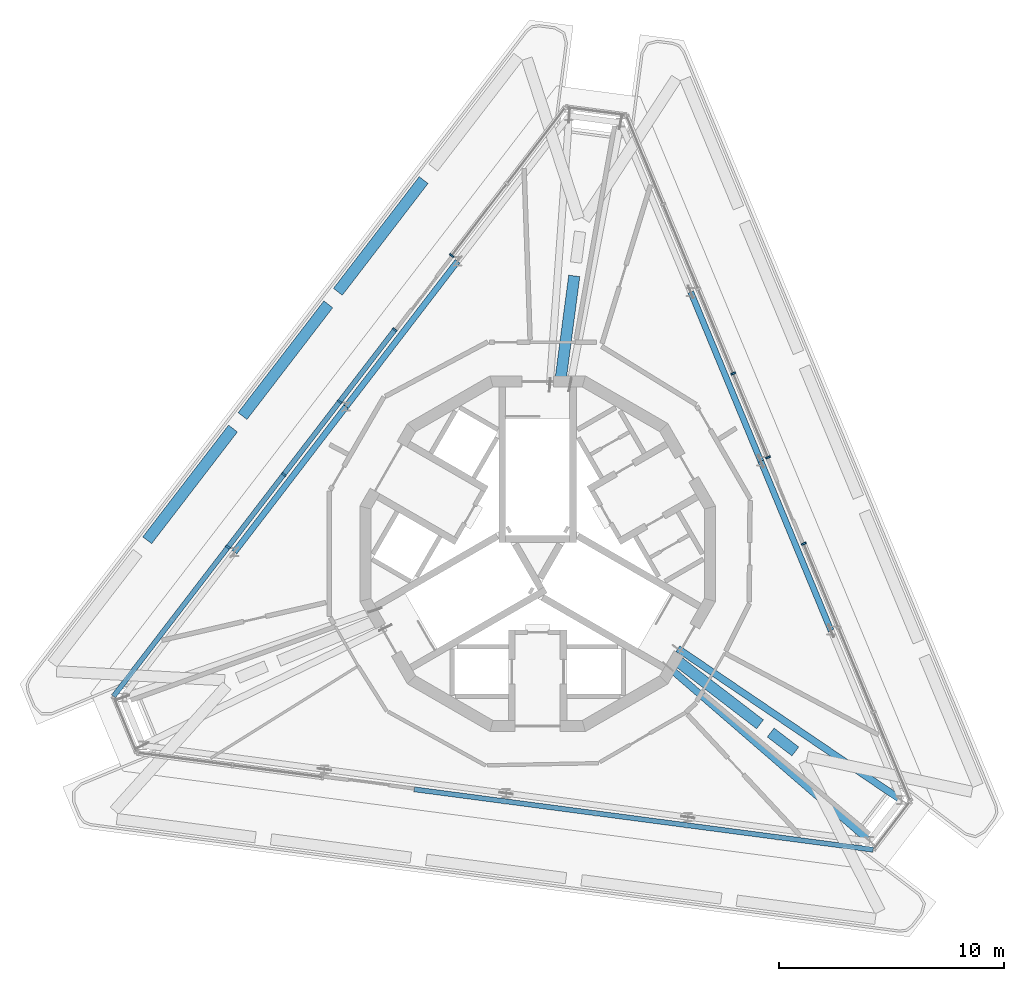
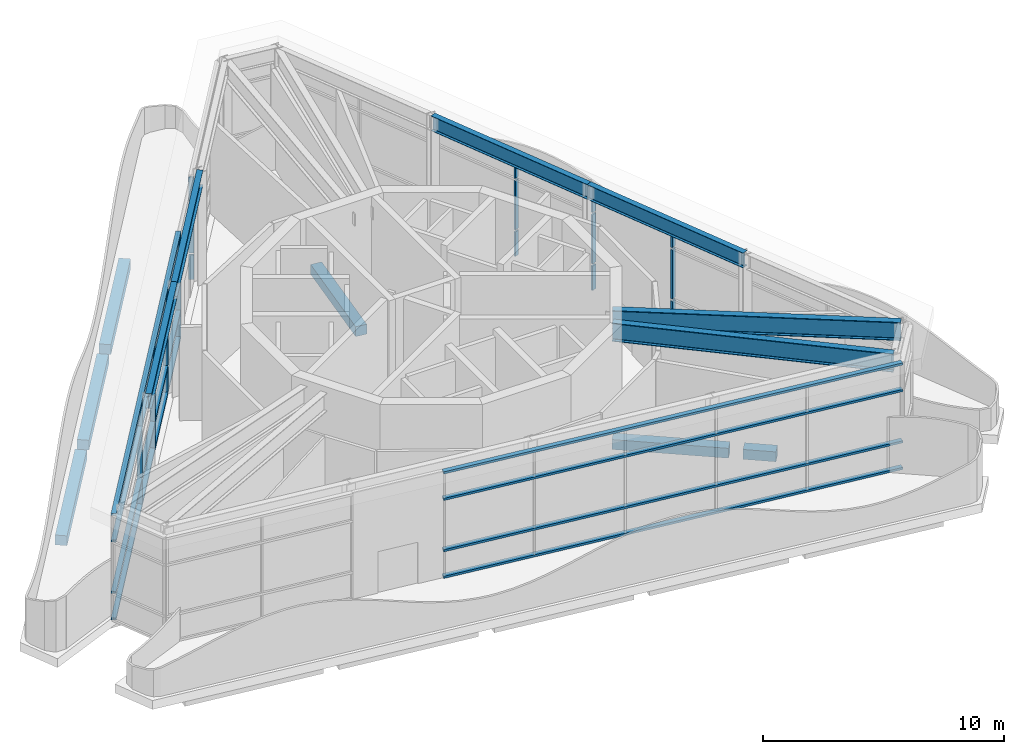
# One storey, part 3 of 10: 32 members, 12 beams, 5 elements without a shape of their own.
"""IFC4 building model written with IfcOpenShell, lengths in metres."""

from ifc_helpers import new_model, si_unit, direction, frame, origin, origin_2d, place, context, subcontext, project, spatial, rectangle, i_section, extrude, material, layer, layer_set, material_profile, profile_set, type_object, element, aggregate, save


model = new_model("IFC4")

# Units and contexts
model_context = context("Model", 3, precision=1e-05, world=origin(), true_north=direction((0.0, 1.0)))
body_context = subcontext(model_context, "Body", "Model", "MODEL_VIEW")
ifc_project = project(units=[si_unit("LENGTHUNIT", "METRE"), si_unit("AREAUNIT", "SQUARE_METRE"), si_unit("VOLUMEUNIT", "CUBIC_METRE"), si_unit("PLANEANGLEUNIT", "RADIAN"), si_unit("MASSUNIT", "GRAM", prefix="KILO")], contexts=[model_context])

# Site, building, storey
site_placement = place(None, origin())
site = spatial("IfcSite", under=ifc_project, at=site_placement, CompositionType="ELEMENT")
building_placement = place(site_placement, origin())
building = spatial("IfcBuilding", under=site, at=building_placement, Name="Trine Commons Tower", CompositionType="ELEMENT")
storey_placement = place(building_placement, frame((0.0, 0.0, 300.60009765625)))
storey = spatial("IfcBuildingStorey", under=building, at=storey_placement, Name="CROWN", CompositionType="ELEMENT", Elevation=300.60009765625)

# Curtain wall, members
ifc_material_1 = material(Name="Crown drum glazing: anodised aluminium frame with low-emissivity double glazed unit, fritted", Category="aluminium")
ifc_layer = layer(ifc_material_1, 0.219970703125)
ifc_layer_set = layer_set([ifc_layer], Name="Crown drum glazing: anodised aluminium frame with low-emissivity double glazed unit, fritted")
curtain_wall_type = type_object("IfcCurtainWallType", Name="Crown drum glazing curtain wall CW6", PredefinedType="NOTDEFINED", material=ifc_layer_set)
curtain_wall_1_placement = place(storey_placement, origin())
curtain_wall_1 = element("IfcCurtainWall", 1, at=curtain_wall_1_placement, inside=storey, type_object=curtain_wall_type, Name="Crown drum glazing D3.1", PredefinedType="NOTDEFINED")
ifc_material_2 = material(Name="Anodised aluminium, natural finish", Category="aluminium")
ifc_material_profile_1 = material_profile(ifc_material_2, rectangle(XDim=0.219970703125, YDim=0.080078125, at=origin_2d()), Name="Mullion 80x220")
ifc_profile_set_1 = profile_set([ifc_material_profile_1], Name="Anodised aluminium, natural finish")
member_type_1 = type_object("IfcMemberType", Name="Mullion 80x220, Anodised aluminium, natural finish", PredefinedType="MULLION", material=ifc_profile_set_1)
member_1_placement = place(storey_placement, frame((91.84765625, 62.947509765625, 0.10986328125), z_axis=(0.0, 0.0, 1.0), x_axis=(-0.923879532511, -0.382683432365, 0.0)))
member_1 = element("IfcMember", 2, at=member_1_placement, type_object=member_type_1, Name="CW6 mullion 4.1", PredefinedType="MULLION", context=body_context, shape_type="SweptSolid", body=[
    extrude(rectangle(XDim=0.219970703125, YDim=0.080078125, at=origin_2d()), origin(), (0.0, 0.0, 1.0), 1.235107421875),
])
member_2_placement = place(storey_placement, frame((91.84765625, 62.947509765625, 1.454833984375), z_axis=(0.0, 0.0, 1.0), x_axis=(-0.923879532511, -0.382683432365, 0.0)))
member_2 = element("IfcMember", 3, at=member_2_placement, type_object=member_type_1, Name="CW6 mullion 4.2", PredefinedType="MULLION", context=body_context, shape_type="SweptSolid", body=[
    extrude(rectangle(XDim=0.219970703125, YDim=0.080078125, at=origin_2d()), origin(), (0.0, 0.0, 1.0), 2.489990234375),
])
member_3_placement = place(storey_placement, frame((91.84765625, 62.947509765625, 4.054931640625), z_axis=(0.0, 0.0, 1.0), x_axis=(-0.923879532511, -0.382683432365, 0.0)))
member_3 = element("IfcMember", 4, at=member_3_placement, type_object=member_type_1, Name="CW6 mullion 4.3", PredefinedType="MULLION", context=body_context, shape_type="SweptSolid", body=[
    extrude(rectangle(XDim=0.219970703125, YDim=0.080078125, at=origin_2d()), origin(), (0.0, 0.0, 1.0), 1.23486328125),
])
aggregate(curtain_wall_1, [member_1, member_2, member_3])

curtain_wall_2_placement = place(storey_placement, origin())
curtain_wall_2 = element("IfcCurtainWall", 5, at=curtain_wall_2_placement, inside=storey, type_object=curtain_wall_type, Name="Crown drum glazing D3.2", PredefinedType="NOTDEFINED")
member_4_placement = place(storey_placement, frame((90.255615234375, 66.791259765625, 0.10986328125), z_axis=(0.0, 0.0, 1.0), x_axis=(-0.923879532511, -0.382683432365, 0.0)))
member_4 = element("IfcMember", 6, at=member_4_placement, type_object=member_type_1, Name="CW6 mullion 1.1", PredefinedType="MULLION", context=body_context, shape_type="SweptSolid", body=[
    extrude(rectangle(XDim=0.219970703125, YDim=0.080078125, at=origin_2d()), origin(), (0.0, 0.0, 1.0), 1.235107421875),
])
member_5_placement = place(storey_placement, frame((90.255615234375, 66.791259765625, 1.454833984375), z_axis=(0.0, 0.0, 1.0), x_axis=(-0.923879532511, -0.382683432365, 0.0)))
member_5 = element("IfcMember", 7, at=member_5_placement, type_object=member_type_1, Name="CW6 mullion 1.2", PredefinedType="MULLION", context=body_context, shape_type="SweptSolid", body=[
    extrude(rectangle(XDim=0.219970703125, YDim=0.080078125, at=origin_2d()), origin(), (0.0, 0.0, 1.0), 2.489990234375),
])
member_6_placement = place(storey_placement, frame((90.255615234375, 66.791259765625, 4.054931640625), z_axis=(0.0, 0.0, 1.0), x_axis=(-0.923879532511, -0.382683432365, 0.0)))
member_6 = element("IfcMember", 8, at=member_6_placement, type_object=member_type_1, Name="CW6 mullion 1.3", PredefinedType="MULLION", context=body_context, shape_type="SweptSolid", body=[
    extrude(rectangle(XDim=0.219970703125, YDim=0.080078125, at=origin_2d()), origin(), (0.0, 0.0, 1.0), 1.23486328125),
])
member_7_placement = place(storey_placement, frame((88.709228515625, 70.5244140625, 0.10986328125), z_axis=(0.0, 0.0, 1.0), x_axis=(-0.923879532511, -0.382683432365, 0.0)))
member_7 = element("IfcMember", 9, at=member_7_placement, type_object=member_type_1, Name="CW6 mullion 2.1", PredefinedType="MULLION", context=body_context, shape_type="SweptSolid", body=[
    extrude(rectangle(XDim=0.219970703125, YDim=0.080078125, at=origin_2d()), origin(), (0.0, 0.0, 1.0), 1.235107421875),
])
member_8_placement = place(storey_placement, frame((88.709228515625, 70.5244140625, 1.454833984375), z_axis=(0.0, 0.0, 1.0), x_axis=(-0.923879532511, -0.382683432365, 0.0)))
member_8 = element("IfcMember", 10, at=member_8_placement, type_object=member_type_1, Name="CW6 mullion 2.2", PredefinedType="MULLION", context=body_context, shape_type="SweptSolid", body=[
    extrude(rectangle(XDim=0.219970703125, YDim=0.080078125, at=origin_2d()), origin(), (0.0, 0.0, 1.0), 2.489990234375),
])
member_9_placement = place(storey_placement, frame((88.709228515625, 70.5244140625, 4.054931640625), z_axis=(0.0, 0.0, 1.0), x_axis=(-0.923879532511, -0.382683432365, 0.0)))
member_9 = element("IfcMember", 11, at=member_9_placement, type_object=member_type_1, Name="CW6 mullion 2.3", PredefinedType="MULLION", context=body_context, shape_type="SweptSolid", body=[
    extrude(rectangle(XDim=0.219970703125, YDim=0.080078125, at=origin_2d()), origin(), (0.0, 0.0, 1.0), 1.23486328125),
])
aggregate(curtain_wall_2, [member_4, member_5, member_6, member_7, member_8, member_9])

curtain_wall_3_placement = place(storey_placement, origin())
curtain_wall_3 = element("IfcCurtainWall", 12, at=curtain_wall_3_placement, inside=storey, type_object=curtain_wall_type, Name="Crown drum glazing D5.1", PredefinedType="NOTDEFINED")
member_10_placement = place(storey_placement, frame((76.1728515625, 75.774169921875, 0.10986328125), z_axis=(0.0, 0.0, 1.0), x_axis=(0.793353340291, -0.608761429009, 0.0)))
member_10 = element("IfcMember", 13, at=member_10_placement, type_object=member_type_1, Name="CW6 mullion 3.1", PredefinedType="MULLION", context=body_context, shape_type="SweptSolid", body=[
    extrude(rectangle(XDim=0.219970703125, YDim=0.080078125, at=origin_2d()), origin(), (0.0, 0.0, 1.0), 1.235107421875),
])
member_11_placement = place(storey_placement, frame((76.1728515625, 75.774169921875, 1.454833984375), z_axis=(0.0, 0.0, 1.0), x_axis=(0.793353340291, -0.608761429009, 0.0)))
member_11 = element("IfcMember", 14, at=member_11_placement, type_object=member_type_1, Name="CW6 mullion 3.2", PredefinedType="MULLION", context=body_context, shape_type="SweptSolid", body=[
    extrude(rectangle(XDim=0.219970703125, YDim=0.080078125, at=origin_2d()), origin(), (0.0, 0.0, 1.0), 2.489990234375),
])
member_12_placement = place(storey_placement, frame((76.1728515625, 75.774169921875, 4.054931640625), z_axis=(0.0, 0.0, 1.0), x_axis=(0.793353340291, -0.608761429009, 0.0)))
member_12 = element("IfcMember", 15, at=member_12_placement, type_object=member_type_1, Name="CW6 mullion 3.3", PredefinedType="MULLION", context=body_context, shape_type="SweptSolid", body=[
    extrude(rectangle(XDim=0.219970703125, YDim=0.080078125, at=origin_2d()), origin(), (0.0, 0.0, 1.0), 1.23486328125),
])
aggregate(curtain_wall_3, [member_10, member_11, member_12])

curtain_wall_4_placement = place(storey_placement, origin())
curtain_wall_4 = element("IfcCurtainWall", 16, at=curtain_wall_4_placement, inside=storey, type_object=curtain_wall_type, Name="Crown drum glazing D5.2", PredefinedType="NOTDEFINED")
member_13_placement = place(storey_placement, frame((73.639892578125, 72.473388671875, 0.10986328125), z_axis=(0.0, 0.0, 1.0), x_axis=(0.793353340291, -0.608761429009, 0.0)))
member_13 = element("IfcMember", 17, at=member_13_placement, type_object=member_type_1, Name="CW6 mullion 1.1", PredefinedType="MULLION", context=body_context, shape_type="SweptSolid", body=[
    extrude(rectangle(XDim=0.219970703125, YDim=0.080078125, at=origin_2d()), origin(), (0.0, 0.0, 1.0), 1.235107421875),
])
member_14_placement = place(storey_placement, frame((73.639892578125, 72.473388671875, 1.454833984375), z_axis=(0.0, 0.0, 1.0), x_axis=(0.793353340291, -0.608761429009, 0.0)))
member_14 = element("IfcMember", 18, at=member_14_placement, type_object=member_type_1, Name="CW6 mullion 1.2", PredefinedType="MULLION", context=body_context, shape_type="SweptSolid", body=[
    extrude(rectangle(XDim=0.219970703125, YDim=0.080078125, at=origin_2d()), origin(), (0.0, 0.0, 1.0), 2.489990234375),
])
member_15_placement = place(storey_placement, frame((73.639892578125, 72.473388671875, 4.054931640625), z_axis=(0.0, 0.0, 1.0), x_axis=(0.793353340291, -0.608761429009, 0.0)))
member_15 = element("IfcMember", 19, at=member_15_placement, type_object=member_type_1, Name="CW6 mullion 1.3", PredefinedType="MULLION", context=body_context, shape_type="SweptSolid", body=[
    extrude(rectangle(XDim=0.219970703125, YDim=0.080078125, at=origin_2d()), origin(), (0.0, 0.0, 1.0), 1.23486328125),
])
member_16_placement = place(storey_placement, frame((71.18017578125, 69.267578125, 0.10986328125), z_axis=(0.0, 0.0, 1.0), x_axis=(0.793353340291, -0.608761429009, 0.0)))
member_16 = element("IfcMember", 20, at=member_16_placement, type_object=member_type_1, Name="CW6 mullion 2.1", PredefinedType="MULLION", context=body_context, shape_type="SweptSolid", body=[
    extrude(rectangle(XDim=0.219970703125, YDim=0.080078125, at=origin_2d()), origin(), (0.0, 0.0, 1.0), 1.235107421875),
])
member_17_placement = place(storey_placement, frame((71.18017578125, 69.267578125, 1.454833984375), z_axis=(0.0, 0.0, 1.0), x_axis=(0.793353340291, -0.608761429009, 0.0)))
member_17 = element("IfcMember", 21, at=member_17_placement, type_object=member_type_1, Name="CW6 mullion 2.2", PredefinedType="MULLION", context=body_context, shape_type="SweptSolid", body=[
    extrude(rectangle(XDim=0.219970703125, YDim=0.080078125, at=origin_2d()), origin(), (0.0, 0.0, 1.0), 2.489990234375),
])
member_18_placement = place(storey_placement, frame((71.18017578125, 69.267578125, 4.054931640625), z_axis=(0.0, 0.0, 1.0), x_axis=(0.793353340291, -0.608761429009, 0.0)))
member_18 = element("IfcMember", 22, at=member_18_placement, type_object=member_type_1, Name="CW6 mullion 2.3", PredefinedType="MULLION", context=body_context, shape_type="SweptSolid", body=[
    extrude(rectangle(XDim=0.219970703125, YDim=0.080078125, at=origin_2d()), origin(), (0.0, 0.0, 1.0), 1.23486328125),
])
member_19_placement = place(storey_placement, frame((68.696044921875, 66.0302734375, 0.10986328125), z_axis=(0.0, 0.0, 1.0), x_axis=(0.793353340291, -0.608761429009, 0.0)))
member_19 = element("IfcMember", 23, at=member_19_placement, type_object=member_type_1, Name="CW6 mullion 3.1", PredefinedType="MULLION", context=body_context, shape_type="SweptSolid", body=[
    extrude(rectangle(XDim=0.219970703125, YDim=0.080078125, at=origin_2d()), origin(), (0.0, 0.0, 1.0), 1.235107421875),
])
member_20_placement = place(storey_placement, frame((68.696044921875, 66.0302734375, 1.454833984375), z_axis=(0.0, 0.0, 1.0), x_axis=(0.793353340291, -0.608761429009, 0.0)))
member_20 = element("IfcMember", 24, at=member_20_placement, type_object=member_type_1, Name="CW6 mullion 3.2", PredefinedType="MULLION", context=body_context, shape_type="SweptSolid", body=[
    extrude(rectangle(XDim=0.219970703125, YDim=0.080078125, at=origin_2d()), origin(), (0.0, 0.0, 1.0), 2.489990234375),
])
member_21_placement = place(storey_placement, frame((68.696044921875, 66.0302734375, 4.054931640625), z_axis=(0.0, 0.0, 1.0), x_axis=(0.793353340291, -0.608761429009, 0.0)))
member_21 = element("IfcMember", 25, at=member_21_placement, type_object=member_type_1, Name="CW6 mullion 3.3", PredefinedType="MULLION", context=body_context, shape_type="SweptSolid", body=[
    extrude(rectangle(XDim=0.219970703125, YDim=0.080078125, at=origin_2d()), origin(), (0.0, 0.0, 1.0), 1.23486328125),
])
member_22_placement = place(storey_placement, frame((66.2119140625, 62.79296875, 0.10986328125), z_axis=(0.0, 0.0, 1.0), x_axis=(0.793353340291, -0.608761429009, 0.0)))
member_22 = element("IfcMember", 26, at=member_22_placement, type_object=member_type_1, Name="CW6 mullion 4.1", PredefinedType="MULLION", context=body_context, shape_type="SweptSolid", body=[
    extrude(rectangle(XDim=0.219970703125, YDim=0.080078125, at=origin_2d()), origin(), (0.0, 0.0, 1.0), 1.235107421875),
])
member_23_placement = place(storey_placement, frame((66.2119140625, 62.79296875, 1.454833984375), z_axis=(0.0, 0.0, 1.0), x_axis=(0.793353340291, -0.608761429009, 0.0)))
member_23 = element("IfcMember", 27, at=member_23_placement, type_object=member_type_1, Name="CW6 mullion 4.2", PredefinedType="MULLION", context=body_context, shape_type="SweptSolid", body=[
    extrude(rectangle(XDim=0.219970703125, YDim=0.080078125, at=origin_2d()), origin(), (0.0, 0.0, 1.0), 2.489990234375),
])
member_24_placement = place(storey_placement, frame((66.2119140625, 62.79296875, 4.054931640625), z_axis=(0.0, 0.0, 1.0), x_axis=(0.793353340291, -0.608761429009, 0.0)))
member_24 = element("IfcMember", 28, at=member_24_placement, type_object=member_type_1, Name="CW6 mullion 4.3", PredefinedType="MULLION", context=body_context, shape_type="SweptSolid", body=[
    extrude(rectangle(XDim=0.219970703125, YDim=0.080078125, at=origin_2d()), origin(), (0.0, 0.0, 1.0), 1.23486328125),
])

# Beams
ifc_material_3 = material(Name="Concrete C40/50", Category="concrete")
ifc_material_profile_2 = material_profile(ifc_material_3, rectangle(XDim=0.5, YDim=0.5, at=origin_2d()), Name="RC 500x500")
ifc_profile_set_2 = profile_set([ifc_material_profile_2], Name="Concrete C40/50")
beam_type_1 = type_object("IfcBeamType", Name="RC beam 500x500, C40/50", PredefinedType="BEAM", material=ifc_profile_set_2)
for number, where, z_axis, x_axis, name in (
    (29, (62.614501953125, 63.09814453125, -0.7001953125), (0.608756693169, 0.793356974206, 0.0), (-0.793356974206, 0.608756693169, 0.0), "Beam EB8-07 CROWN"),
    (30, (66.859130859375, 68.630126953125, -0.7001953125), (0.608775490712, 0.793342550169, 0.0), (-0.793342550169, 0.608775490712, 0.0), "Beam EB8-08 CROWN"),
):
    element("IfcBeam", number, at=place(storey_placement, frame(where, z_axis=z_axis, x_axis=x_axis)), inside=storey, type_object=beam_type_1, Name=name, PredefinedType="BEAM", context=body_context, shape_type="SweptSolid", body=[
        extrude(rectangle(XDim=0.5, YDim=0.5, at=origin_2d()), origin(), (0.0, 0.0, 1.0), 6.272705078125),
    ])
beam_1_placement = place(storey_placement, frame((71.10400390625, 74.161865234375, -0.7001953125), z_axis=(0.608750992772, 0.793361348188, 0.0), x_axis=(-0.793361348188, 0.608750992772, 0.0)))
element("IfcBeam", 31, at=beam_1_placement, inside=storey, type_object=beam_type_1, Name="Beam EB8-09 CROWN", PredefinedType="BEAM", context=body_context, shape_type="SweptSolid", body=[
    extrude(rectangle(XDim=0.5, YDim=0.5, at=origin_2d()), origin(), (0.0, 0.0, 1.0), 6.2724609375),
])
beam_2_placement = place(storey_placement, frame((86.020751953125, 57.880126953125, -0.7001953125), z_axis=(0.793360362614, -0.60875227723, 0.0), x_axis=(0.60875227723, 0.793360362614, 0.0)))
element("IfcBeam", 32, at=beam_2_placement, inside=storey, type_object=beam_type_1, Name="Beam RB8-01 CROWN", PredefinedType="BEAM", context=body_context, shape_type="SweptSolid", body=[
    extrude(rectangle(XDim=0.5, YDim=0.5, at=origin_2d()), origin(), (0.0, 0.0, 1.0), 4.88916015625),
])
beam_3_placement = place(storey_placement, frame((90.375244140625, 54.538818359375, -0.7001953125), z_axis=(0.793350909005, -0.60876459751, 0.0), x_axis=(0.60876459751, 0.793350909005, 0.0)))
element("IfcBeam", 33, at=beam_3_placement, inside=storey, type_object=beam_type_1, Name="Beam RB8-02 CROWN", PredefinedType="BEAM", context=body_context, shape_type="SweptSolid", body=[
    extrude(rectangle(XDim=0.5, YDim=0.5, at=origin_2d()), origin(), (0.0, 0.0, 1.0), 1.384765625),
])
beam_4_placement = place(storey_placement, frame((80.990478515625, 70.02392578125, -0.7001953125), z_axis=(0.130570757815, 0.991438993183, 0.0), x_axis=(-0.991438993183, 0.130570757815, 0.0)))
element("IfcBeam", 34, at=beam_4_placement, inside=storey, type_object=beam_type_1, Name="Beam RB8-03 CROWN", PredefinedType="BEAM", context=body_context, shape_type="SweptSolid", body=[
    extrude(rectangle(XDim=0.5, YDim=0.5, at=origin_2d()), origin(), (0.0, 0.0, 1.0), 4.889404296875),
])
ifc_material_4 = material(Name="Structural steel ASTM A992 Gr50", Category="steel")
ifc_material_profile_3 = material_profile(ifc_material_4, i_section(OverallWidth=0.2666015625, OverallDepth=0.7587890625, WebThickness=0.013916015625, FlangeThickness=0.019287109375, FilletRadius=0.0166015625, at=origin_2d()), Name="W30X108")
ifc_profile_set_3 = profile_set([ifc_material_profile_3], Name="Structural steel ASTM A992 Gr50")
beam_type_2 = type_object("IfcBeamType", Name="Steel beam W30X108, ASTM A992 Gr50", PredefinedType="BEAM", material=ifc_profile_set_3)
beam_5_placement = place(storey_placement, frame((66.49755859375, 62.57373046875, 5.320556640625), z_axis=(0.608756174978, 0.793357371823, 0.0), x_axis=(-0.793357371823, 0.608756174978, 0.0)))
element("IfcBeam", 35, at=beam_5_placement, inside=storey, type_object=beam_type_2, Name="Crown beam CR-03", PredefinedType="BEAM", context=body_context, shape_type="SweptSolid", body=[
    extrude(i_section(OverallWidth=0.2666015625, OverallDepth=0.7587890625, WebThickness=0.013916015625, FlangeThickness=0.019287109375, FilletRadius=0.0166015625, at=origin_2d()), origin(), (0.0, 0.0, 1.0), 8.161376953125),
])
beam_6_placement = place(storey_placement, frame((71.4658203125, 69.048583984375, 5.320556640625), z_axis=(0.60877062267, 0.793346285662, 0.0), x_axis=(-0.793346285662, 0.60877062267, 0.0)))
element("IfcBeam", 36, at=beam_6_placement, inside=storey, type_object=beam_type_2, Name="Crown beam CR-04", PredefinedType="BEAM", context=body_context, shape_type="SweptSolid", body=[
    extrude(i_section(OverallWidth=0.2666015625, OverallDepth=0.7587890625, WebThickness=0.013916015625, FlangeThickness=0.019287109375, FilletRadius=0.0166015625, at=origin_2d()), origin(), (0.0, 0.0, 1.0), 8.1611328125),
])
beam_7_placement = place(storey_placement, frame((86.815185546875, 74.156494140625, 5.320556640625), z_axis=(0.382679412037, -0.923881197775, 0.0), x_axis=(0.923881197775, 0.382679412037, 0.0)))
element("IfcBeam", 37, at=beam_7_placement, inside=storey, type_object=beam_type_2, Name="Crown beam CR-08", PredefinedType="BEAM", context=body_context, shape_type="SweptSolid", body=[
    extrude(i_section(OverallWidth=0.2666015625, OverallDepth=0.7587890625, WebThickness=0.013916015625, FlangeThickness=0.019287109375, FilletRadius=0.0166015625, at=origin_2d()), origin(), (0.0, 0.0, 1.0), 8.160888671875),
])
beam_8_placement = place(storey_placement, frame((89.938232421875, 66.61669921875, 5.320556640625), z_axis=(0.382668835661, -0.923885578529, 0.0), x_axis=(0.923885578529, 0.382668835661, 0.0)))
element("IfcBeam", 38, at=beam_8_placement, inside=storey, type_object=beam_type_2, Name="Crown beam CR-09", PredefinedType="BEAM", context=body_context, shape_type="SweptSolid", body=[
    extrude(i_section(OverallWidth=0.2666015625, OverallDepth=0.7587890625, WebThickness=0.013916015625, FlangeThickness=0.019287109375, FilletRadius=0.0166015625, at=origin_2d()), origin(), (0.0, 0.0, 1.0), 8.1611328125),
])
ifc_material_profile_4 = material_profile(ifc_material_4, i_section(OverallWidth=0.30810546875, OverallDepth=0.927001953125, WebThickness=0.019287109375, FlangeThickness=0.031982421875, FilletRadius=0.01904296875, at=origin_2d()), Name="W36X194")
ifc_profile_set_4 = profile_set([ifc_material_profile_4], Name="Structural steel ASTM A992 Gr50")
beam_type_3 = type_object("IfcBeamType", Name="Steel beam W36X194, ASTM A992 Gr50", PredefinedType="BEAM", material=ifc_profile_set_4)
beam_9_placement = place(storey_placement, frame((86.243408203125, 58.270751953125, 5.236328125), z_axis=(0.827926608841, -0.560836455995, 0.0), x_axis=(0.560836455995, 0.827926608841, 0.0)))
element("IfcBeam", 39, at=beam_9_placement, inside=storey, type_object=beam_type_3, Name="Crown girder CG-05", PredefinedType="BEAM", context=body_context, shape_type="SweptSolid", body=[
    extrude(i_section(OverallWidth=0.30810546875, OverallDepth=0.927001953125, WebThickness=0.019287109375, FlangeThickness=0.031982421875, FilletRadius=0.01904296875, at=origin_2d()), origin(), (0.0, 0.0, 1.0), 12.00732421875),
])
beam_10_placement = place(storey_placement, frame((85.79541015625, 57.482421875, 5.236328125), z_axis=(0.75601303408, -0.654556561575, 0.0), x_axis=(0.654556561575, 0.75601303408, 0.0)))
element("IfcBeam", 40, at=beam_10_placement, inside=storey, type_object=beam_type_3, Name="Crown girder CG-06", PredefinedType="BEAM", context=body_context, shape_type="SweptSolid", body=[
    extrude(i_section(OverallWidth=0.30810546875, OverallDepth=0.927001953125, WebThickness=0.019287109375, FlangeThickness=0.031982421875, FilletRadius=0.01904296875, at=origin_2d()), origin(), (0.0, 0.0, 1.0), 11.882568359375),
])

# Curtain wall, members
curtain_wall_5_placement = place(storey_placement, origin())
curtain_wall_5 = element("IfcCurtainWall", 41, at=curtain_wall_5_placement, inside=storey, type_object=curtain_wall_type, Name="Crown drum glazing D1.2", PredefinedType="NOTDEFINED")
ifc_material_profile_5 = material_profile(ifc_material_2, rectangle(XDim=0.219970703125, YDim=0.110107421875, at=origin_2d()), Name="Transom 110x220")
ifc_profile_set_5 = profile_set([ifc_material_profile_5], Name="Anodised aluminium, natural finish")
member_type_2 = type_object("IfcMemberType", Name="Transom 110x220, Anodised aluminium, natural finish", PredefinedType="USERDEFINED", material=ifc_profile_set_5)
member_25_placement = place(storey_placement, frame((74.503173828125, 52.0107421875, 0.054931640625), z_axis=(0.991443809858, -0.130534179028, 0.0), x_axis=(0.130534179028, 0.991443809858, 0.0)))
member_25 = element("IfcMember", 42, at=member_25_placement, type_object=member_type_2, Name="CW6 transom T00", ObjectType="TRANSOM", PredefinedType="USERDEFINED", context=body_context, shape_type="SweptSolid", body=[
    extrude(rectangle(XDim=0.219970703125, YDim=0.110107421875, at=origin_2d()), origin(), (0.0, 0.0, 1.0), 20.61083984375),
])
member_26_placement = place(storey_placement, frame((74.503173828125, 52.0107421875, 1.39990234375), z_axis=(0.991443809858, -0.130534179028, 0.0), x_axis=(0.130534179028, 0.991443809858, 0.0)))
member_26 = element("IfcMember", 43, at=member_26_placement, type_object=member_type_2, Name="CW6 transom T01", ObjectType="TRANSOM", PredefinedType="USERDEFINED", context=body_context, shape_type="SweptSolid", body=[
    extrude(rectangle(XDim=0.219970703125, YDim=0.110107421875, at=origin_2d()), origin(), (0.0, 0.0, 1.0), 20.61083984375),
])
member_27_placement = place(storey_placement, frame((74.503173828125, 52.0107421875, 4.0), z_axis=(0.991443809858, -0.130534179028, 0.0), x_axis=(0.130534179028, 0.991443809858, 0.0)))
member_27 = element("IfcMember", 44, at=member_27_placement, type_object=member_type_2, Name="CW6 transom T02", ObjectType="TRANSOM", PredefinedType="USERDEFINED", context=body_context, shape_type="SweptSolid", body=[
    extrude(rectangle(XDim=0.219970703125, YDim=0.110107421875, at=origin_2d()), origin(), (0.0, 0.0, 1.0), 20.61083984375),
])
member_28_placement = place(storey_placement, frame((74.503173828125, 52.0107421875, 5.344970703125), z_axis=(0.991443809858, -0.130534179028, 0.0), x_axis=(0.130534179028, 0.991443809858, 0.0)))
member_28 = element("IfcMember", 45, at=member_28_placement, type_object=member_type_2, Name="CW6 transom TH00", ObjectType="TRANSOM", PredefinedType="USERDEFINED", context=body_context, shape_type="SweptSolid", body=[
    extrude(rectangle(XDim=0.219970703125, YDim=0.110107421875, at=origin_2d()), origin(), (0.0, 0.0, 1.0), 20.61083984375),
])
aggregate(curtain_wall_5, [member_25, member_26, member_27, member_28])

# Member
member_29_placement = place(storey_placement, frame((73.664306640625, 72.5048828125, 0.054931640625), z_axis=(-0.60876521383, -0.793350436081, 0.0), x_axis=(0.793350436081, -0.60876521383, 0.0)))
member_29 = element("IfcMember", 46, at=member_29_placement, type_object=member_type_2, Name="CW6 transom T00", ObjectType="TRANSOM", PredefinedType="USERDEFINED", context=body_context, shape_type="SweptSolid", body=[
    extrude(rectangle(XDim=0.219970703125, YDim=0.110107421875, at=origin_2d()), origin(), (0.0, 0.0, 1.0), 20.61083984375),
])

member_30_placement = place(storey_placement, frame((73.664306640625, 72.5048828125, 1.39990234375), z_axis=(-0.60876521383, -0.793350436081, 0.0), x_axis=(0.793350436081, -0.60876521383, 0.0)))
member_30 = element("IfcMember", 47, at=member_30_placement, type_object=member_type_2, Name="CW6 transom T01", ObjectType="TRANSOM", PredefinedType="USERDEFINED", context=body_context, shape_type="SweptSolid", body=[
    extrude(rectangle(XDim=0.219970703125, YDim=0.110107421875, at=origin_2d()), origin(), (0.0, 0.0, 1.0), 20.61083984375),
])

member_31_placement = place(storey_placement, frame((73.664306640625, 72.5048828125, 4.0), z_axis=(-0.60876521383, -0.793350436081, 0.0), x_axis=(0.793350436081, -0.60876521383, 0.0)))
member_31 = element("IfcMember", 48, at=member_31_placement, type_object=member_type_2, Name="CW6 transom T02", ObjectType="TRANSOM", PredefinedType="USERDEFINED", context=body_context, shape_type="SweptSolid", body=[
    extrude(rectangle(XDim=0.219970703125, YDim=0.110107421875, at=origin_2d()), origin(), (0.0, 0.0, 1.0), 20.61083984375),
])

member_32_placement = place(storey_placement, frame((73.664306640625, 72.5048828125, 5.344970703125), z_axis=(-0.60876521383, -0.793350436081, 0.0), x_axis=(0.793350436081, -0.60876521383, 0.0)))
member_32 = element("IfcMember", 49, at=member_32_placement, type_object=member_type_2, Name="CW6 transom TH00", ObjectType="TRANSOM", PredefinedType="USERDEFINED", context=body_context, shape_type="SweptSolid", body=[
    extrude(rectangle(XDim=0.219970703125, YDim=0.110107421875, at=origin_2d()), origin(), (0.0, 0.0, 1.0), 20.61083984375),
])

aggregate(curtain_wall_4, [member_29, member_30, member_31, member_32, member_13, member_14, member_15, member_16, member_17, member_18, member_19, member_20, member_21, member_22, member_23, member_24])

save(model, "model.ifc")
